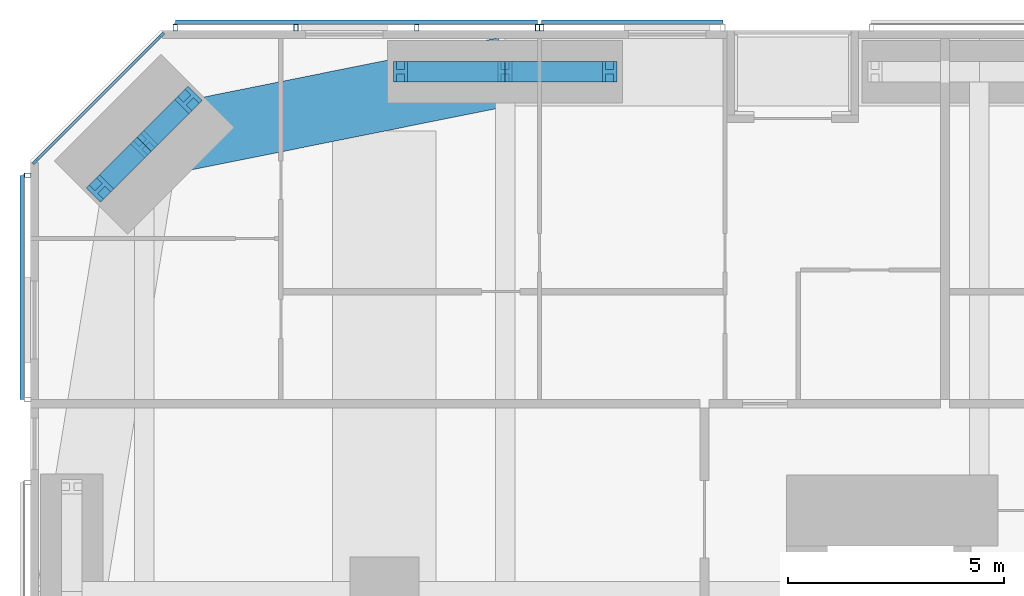
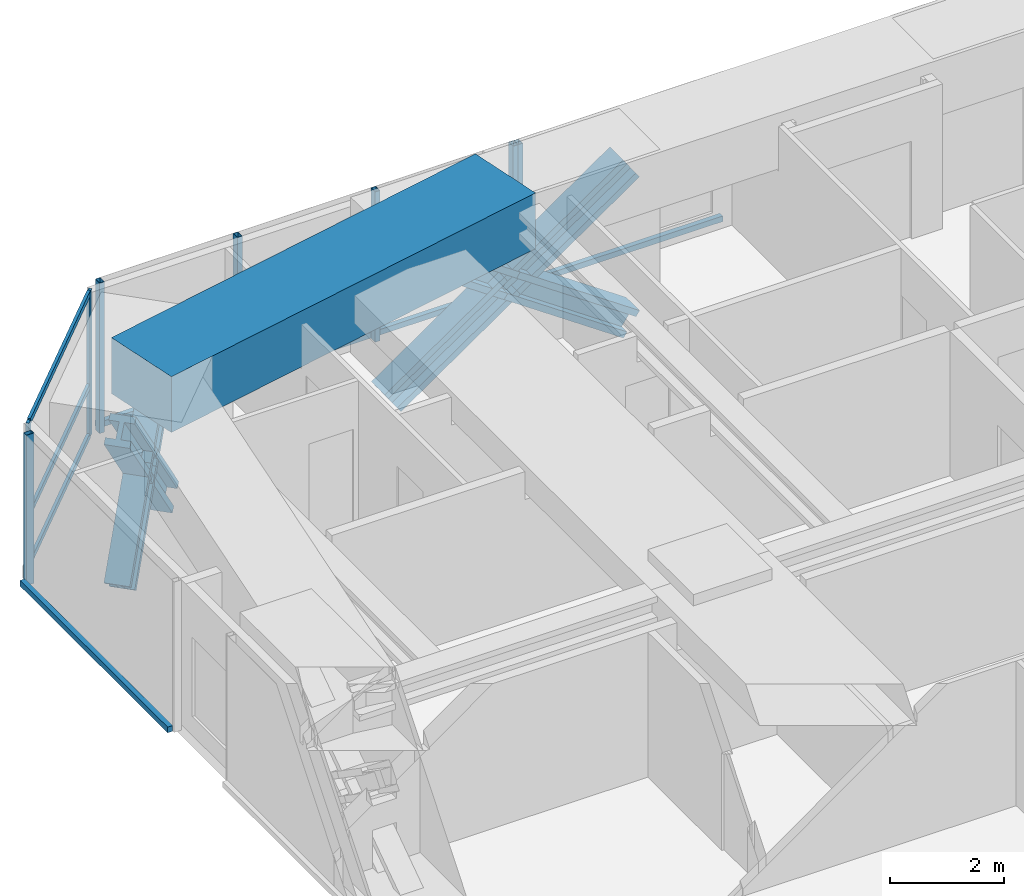
# One storey, part 11 of 23: 22 members, 1 beam, 4 elements without a shape of their own.
"""IFC4 building model written with IfcOpenShell, lengths in metres."""

import ifcopenshell
import ifcopenshell.guid

model = None  # the IFC model being written
_history = None  # IfcOwnerHistory: only IFC2X3 demands one
_inside = {}  # id of a spatial element -> (the spatial element, [elements in it])
_under = {}  # id of a project, library or spatial element -> (it, [spatial elements below it])
_declared = {}  # id of a project -> (the project, [libraries it declares])
_typed = {}  # id of a type object -> (the type object, [elements of that type])
_made_of = {}  # id of a material, layer set ... -> (it, [elements and type objects made of it])


def new_model(schema):
    """Start an empty IFC model of exactly this schema.

    Asked for "IFC4X3", IfcOpenShell would pick the latest addendum, in which some entities
    have other attributes; the version numbers below select the first issue.
    IFC2X3 requires an IfcOwnerHistory on every rooted entity: one is made here for all.
    """
    global model, _history
    if schema == "IFC4X3":
        model = ifcopenshell.file(schema_version=(4, 3, 0, 0))
    else:
        model = ifcopenshell.file(schema=schema)
    _inside.clear()
    _under.clear()
    _declared.clear()
    _typed.clear()
    _made_of.clear()
    _history = None
    if model.schema == "IFC2X3":
        org = make("IfcOrganization", Name="unknown")
        user = make(
            "IfcPersonAndOrganization",
            ThePerson=make("IfcPerson", FamilyName="unknown"),
            TheOrganization=org,
        )
        app = make(
            "IfcApplication",
            ApplicationDeveloper=org,
            Version="unknown",
            ApplicationFullName="unknown",
            ApplicationIdentifier="unknown",
        )
        _history = make(
            "IfcOwnerHistory",
            OwningUser=user,
            OwningApplication=app,
            ChangeAction="ADDED",
            CreationDate=0,
        )
    return model


def make(cls, **values):
    """One entity of the class cls with the attributes given. An attribute that is None is left unset."""
    return model.create_entity(
        cls, **{name: value for name, value in values.items() if value is not None}
    )


def rooted(cls, **values):
    """An entity with a GlobalId (a new one), such as an element, a storey or a relation."""
    return make(cls, GlobalId=ifcopenshell.guid.new(), OwnerHistory=_history, **values)


def si_unit(unit_type, name, prefix=None):
    """IfcSIUnit, for example si_unit("LENGTHUNIT", "METRE", prefix="MILLI")."""
    return make("IfcSIUnit", UnitType=unit_type, Prefix=prefix, Name=name)


def assignment(units):
    """IfcUnitAssignment: the units of a project."""
    return None if units is None else make("IfcUnitAssignment", Units=units)


def point(xyz):
    """IfcCartesianPoint."""
    return None if xyz is None else make("IfcCartesianPoint", Coordinates=xyz)


def direction(xyz):
    """IfcDirection."""
    return None if xyz is None else make("IfcDirection", DirectionRatios=xyz)


def frame(location, z_axis=None, x_axis=None):
    """IfcAxis2Placement3D, a coordinate frame: its origin and axes. An axis left out is left unset."""
    return make(
        "IfcAxis2Placement3D",
        Location=point(location),
        Axis=direction(z_axis),
        RefDirection=direction(x_axis),
    )


def frame_2d(location, x_axis=None):
    """IfcAxis2Placement2D, a coordinate frame in the plane: its origin and x axis."""
    return make(
        "IfcAxis2Placement2D", Location=point(location), RefDirection=direction(x_axis)
    )


def origin():
    """The frame at (0, 0, 0) with its axes left unset."""
    return frame((0.0, 0.0, 0.0))


def origin_2d():
    """The frame at (0, 0) in the plane with its x axis left unset."""
    return frame_2d((0.0, 0.0))


def place(relative_to, where):
    """IfcLocalPlacement: puts the frame where relative to a parent placement (None: the world)."""
    return make(
        "IfcLocalPlacement", PlacementRelTo=relative_to, RelativePlacement=where
    )


def context(
    kind, dimensions, precision=None, world=None, true_north=None, identifier=None
):
    """IfcGeometricRepresentationContext, for example the 3D "Model" context."""
    return make(
        "IfcGeometricRepresentationContext",
        ContextIdentifier=identifier,
        ContextType=kind,
        CoordinateSpaceDimension=dimensions,
        Precision=precision,
        WorldCoordinateSystem=world,
        TrueNorth=true_north,
    )


def subcontext(parent, identifier, kind, view, scale=None):
    """IfcGeometricRepresentationSubContext, for example "Body" below "Model"."""
    return make(
        "IfcGeometricRepresentationSubContext",
        ContextIdentifier=identifier,
        ContextType=kind,
        ParentContext=parent,
        TargetScale=scale,
        TargetView=view,
    )


def project(units=None, contexts=None):
    """IfcProject with its units and contexts."""
    return rooted(
        "IfcProject",
        Name="project",
        RepresentationContexts=contexts,
        UnitsInContext=assignment(units),
    )


def spatial(cls, under=None, at=None, **own):
    """A site, building, storey or space (cls), placed at a placement, below another one or the project."""
    s = rooted(cls, ObjectPlacement=at, **own)
    if under is not None:
        _under.setdefault(under.id(), (under, []))[1].append(s)
    return s


def profile(cls, at=None, kind="AREA", **sizes):
    """A parametric profile (cls). Its sizes go by their IFC names, for example OverallWidth=200.0."""
    return make(cls, ProfileType=kind, Position=at, **sizes)


def rectangle(**sizes):
    """IfcRectangleProfileDef."""
    return profile("IfcRectangleProfileDef", **sizes)


def hollow_rectangle(**sizes):
    """IfcRectangleHollowProfileDef."""
    return profile("IfcRectangleHollowProfileDef", **sizes)


def i_section(**sizes):
    """IfcIShapeProfileDef."""
    return profile("IfcIShapeProfileDef", **sizes)


def extrude(swept, where, along, depth):
    """IfcExtrudedAreaSolid: the profile swept, set in the frame where, extruded along a direction by depth."""
    return make(
        "IfcExtrudedAreaSolid",
        SweptArea=swept,
        Position=where,
        ExtrudedDirection=direction(along),
        Depth=depth,
    )


def shape(context_of_items, identifier, shape_type, items):
    """IfcShapeRepresentation: the items that make up one representation, for example the "Body"."""
    return make(
        "IfcShapeRepresentation",
        ContextOfItems=context_of_items,
        RepresentationIdentifier=identifier,
        RepresentationType=shape_type,
        Items=items,
    )


def material(Name=None, Category=None):
    """IfcMaterial."""
    return make("IfcMaterial", Name=Name, Category=Category)


def material_profile(
    of_material, cross_section, Name=None, Category=None, Priority=None
):
    """IfcMaterialProfile: a cross section and its material."""
    return make(
        "IfcMaterialProfile",
        Name=Name,
        Material=of_material,
        Profile=cross_section,
        Priority=Priority,
        Category=Category,
    )


def profile_set(profiles, Name=None, composite=None):
    """IfcMaterialProfileSet."""
    return make(
        "IfcMaterialProfileSet",
        Name=Name,
        MaterialProfiles=profiles,
        CompositeProfile=composite,
    )


def made_of(thing, what):
    """Note that an element or type object is made of a material, layer set ...; save() writes the relation."""
    if what is not None:
        _made_of.setdefault(what.id(), (what, []))[1].append(thing)
    return thing


def type_object(cls, material=None, **own):
    """A type object (cls), such as IfcWallType, which elements share."""
    return made_of(rooted(cls, **own), material)


def element(
    cls,
    number,
    at=None,
    inside=None,
    cuts=None,
    type_object=None,
    material=None,
    context=None,
    identifier="Body",
    shape_type=None,
    held_by="IfcProductDefinitionShape",
    body=None,
    shapes=None,
    **own,
):
    """One element of the class cls, such as IfcWall. Its Tag is "e" and its number.

    at: its placement. inside: the storey or other place that contains it. cuts: it is an
    opening in that element (IfcRelVoidsElement). A single representation is given by context,
    identifier, shape_type and body (its items); several are given by shapes. held_by: the class
    of the entity that holds the representations. save() writes the other relations.
    """
    e = rooted(cls, Tag="e%d" % number, ObjectPlacement=at, **own)
    if body is not None:
        shapes = [shape(context, identifier, shape_type, body)]
    if shapes is not None:
        e.Representation = make(held_by, Representations=shapes)
    if inside is not None:
        _inside.setdefault(inside.id(), (inside, []))[1].append(e)
    if cuts is not None:
        rooted(
            "IfcRelVoidsElement", RelatingBuildingElement=cuts, RelatedOpeningElement=e
        )
    if type_object is not None:
        _typed.setdefault(type_object.id(), (type_object, []))[1].append(e)
    return made_of(e, material)


def aggregate(whole, parts):
    """IfcRelAggregates: a whole, such as a stair, and the parts it consists of."""
    return rooted("IfcRelAggregates", RelatingObject=whole, RelatedObjects=parts)


def save(model, path):
    """Write the relations noted so far, then the file.

    IfcRelAggregates (storeys below a building ...), IfcRelContainedInSpatialStructure (elements
    in a storey), IfcRelDefinesByType, IfcRelAssociatesMaterial and IfcRelDeclares: one each for
    every whole, place, type object, material and project.
    """
    for whole, parts in _under.values():
        aggregate(whole, parts)
    for where, things in _inside.values():
        rooted(
            "IfcRelContainedInSpatialStructure",
            RelatedElements=things,
            RelatingStructure=where,
        )
    for kind, things in _typed.values():
        rooted("IfcRelDefinesByType", RelatedObjects=things, RelatingType=kind)
    for what, things in _made_of.values():
        rooted("IfcRelAssociatesMaterial", RelatedObjects=things, RelatingMaterial=what)
    for by, libraries in _declared.values():
        rooted("IfcRelDeclares", RelatingContext=by, RelatedDefinitions=libraries)
    model.write(path)


model = new_model("IFC4")

# Units and contexts
model_context = context("Model", 3, precision=1e-05, world=origin(), true_north=direction((0.0, 1.0)))
body_context = subcontext(model_context, "Body", "Model", "MODEL_VIEW")
ifc_project = project(units=[si_unit("LENGTHUNIT", "METRE"), si_unit("AREAUNIT", "SQUARE_METRE"), si_unit("VOLUMEUNIT", "CUBIC_METRE"), si_unit("PLANEANGLEUNIT", "RADIAN"), si_unit("MASSUNIT", "GRAM", prefix="KILO")], contexts=[model_context])

# Site, building, storey
site_placement = place(None, origin())
site = spatial("IfcSite", under=ifc_project, at=site_placement, CompositionType="ELEMENT")
building_placement = place(site_placement, origin())
building = spatial("IfcBuilding", under=site, at=building_placement, Name="Jalousie Tower", CompositionType="ELEMENT")
storey_placement = place(building_placement, frame((0.0, 0.0, 37.75)))
storey = spatial("IfcBuildingStorey", under=building, at=storey_placement, Name="L09", CompositionType="ELEMENT", Elevation=37.75)

# Curtain wall, members
ifc_material_1 = material(Name="Aluminium curtain wall", Category="aluminium")
curtain_wall_type_1 = type_object("IfcCurtainWallType", Name="CORNER WINDOW WALL", PredefinedType="USERDEFINED", material=ifc_material_1)
curtain_wall_1_placement = place(storey_placement, origin())
curtain_wall_1 = element("IfcCurtainWall", 1, at=curtain_wall_1_placement, inside=storey, type_object=curtain_wall_type_1, Name="Corner Window Wall L09 6", ObjectType="CORNER WINDOW WALL", PredefinedType="USERDEFINED")
ifc_material_2 = material(Name="Aluminium mullion", Category="aluminium")
ifc_material_profile_1 = material_profile(ifc_material_2, rectangle(XDim=0.06005859375, YDim=0.14990234375, at=origin_2d()), Name="MULLION 60x150")
ifc_profile_set_1 = profile_set([ifc_material_profile_1], Name="Aluminium mullion")
member_type_1 = type_object("IfcMemberType", Name="CORNER WINDOW WALL MULLION", PredefinedType="MULLION", material=ifc_profile_set_1)
member_1_placement = place(storey_placement, frame((5.030029296875, 37.891357421875, 0.0), z_axis=(0.0, 0.0, 1.0), x_axis=(0.707106781187, -0.707106781187, 0.0)))
member_1 = element("IfcMember", 2, at=member_1_placement, type_object=member_type_1, Name="CW-C mullion 1", PredefinedType="MULLION", context=body_context, shape_type="SweptSolid", body=[
    extrude(rectangle(XDim=0.06005859375, YDim=0.14990234375, at=origin_2d()), origin(), (0.0, 0.0, 1.0), 3.110107421875),
])
member_2_placement = place(storey_placement, frame((2.108642578125, 34.969970703125, 0.0), z_axis=(0.0, 0.0, 1.0), x_axis=(0.707106781187, -0.707106781187, 0.0)))
member_2 = element("IfcMember", 3, at=member_2_placement, type_object=member_type_1, Name="CW-C mullion 2", PredefinedType="MULLION", context=body_context, shape_type="SweptSolid", body=[
    extrude(rectangle(XDim=0.06005859375, YDim=0.14990234375, at=origin_2d()), origin(), (0.0, 0.0, 1.0), 3.110107421875),
])
ifc_material_3 = material(Name="Aluminium transom", Category="aluminium")
ifc_material_profile_2 = material_profile(ifc_material_3, rectangle(XDim=0.06005859375, YDim=0.1201171875, at=origin_2d()), Name="TRANSOM 60x120")
ifc_profile_set_2 = profile_set([ifc_material_profile_2], Name="Aluminium transom")
member_type_2 = type_object("IfcMemberType", Name="CORNER WINDOW WALL TRANSOM", PredefinedType="USERDEFINED", material=ifc_profile_set_2)
member_3_placement = place(storey_placement, frame((5.0087890625, 37.8701171875, 0.030029296875), z_axis=(-0.707106781187, -0.707106781187, 0.0), x_axis=(0.707106781187, -0.707106781187, 0.0)))
member_3 = element("IfcMember", 4, at=member_3_placement, type_object=member_type_2, Name="CW-C transom 1.1", ObjectType="TRANSOM", PredefinedType="USERDEFINED", context=body_context, shape_type="SweptSolid", body=[
    extrude(rectangle(XDim=0.06005859375, YDim=0.1201171875, at=origin_2d()), origin(), (0.0, 0.0, 1.0), 4.0712890625),
])
member_4_placement = place(storey_placement, frame((5.0087890625, 37.8701171875, 1.10009765625), z_axis=(-0.707106781187, -0.707106781187, 0.0), x_axis=(0.707106781187, -0.707106781187, 0.0)))
member_4 = element("IfcMember", 5, at=member_4_placement, type_object=member_type_2, Name="CW-C transom 1.2", ObjectType="TRANSOM", PredefinedType="USERDEFINED", context=body_context, shape_type="SweptSolid", body=[
    extrude(rectangle(XDim=0.06005859375, YDim=0.1201171875, at=origin_2d()), origin(), (0.0, 0.0, 1.0), 4.0712890625),
])
member_5_placement = place(storey_placement, frame((5.0087890625, 37.8701171875, 3.080078125), z_axis=(-0.707106781187, -0.707106781187, 0.0), x_axis=(0.707106781187, -0.707106781187, 0.0)))
member_5 = element("IfcMember", 6, at=member_5_placement, type_object=member_type_2, Name="CW-C transom 1.3", ObjectType="TRANSOM", PredefinedType="USERDEFINED", context=body_context, shape_type="SweptSolid", body=[
    extrude(rectangle(XDim=0.06005859375, YDim=0.1201171875, at=origin_2d()), origin(), (0.0, 0.0, 1.0), 4.0712890625),
])
aggregate(curtain_wall_1, [member_1, member_2, member_3, member_4, member_5])

# Members
ifc_material_4 = material(Name="Steel ASTM A992 Grade 50", Category="steel")
ifc_material_profile_3 = material_profile(ifc_material_4, i_section(OverallWidth=0.472412109375, OverallDepth=0.5791015625, WebThickness=0.094970703125, FlangeThickness=0.1298828125, at=origin_2d()), Name="W14X808")
ifc_profile_set_3 = profile_set([ifc_material_profile_3], Name="Steel ASTM A992 Grade 50")
member_type_3 = type_object("IfcMemberType", Name="PERIMETER BRACE W14X808", PredefinedType="BRACE", material=ifc_profile_set_3)
for number, where, z_axis, x_axis, name in (
    (7, (10.574951171875, 37.050048828125, -0.60009765625), (0.822800062329, 0.0, 0.568330940062), (0.0, 1.0, 0.0), "Perimeter brace 11 L09 part 1"),
    (8, (13.0, 37.050048828125, 1.074951171875), (0.822800062329, 0.0, 0.568330940062), (0.0, 1.0, 0.0), "Perimeter brace 11 L09 part 2"),
    (9, (15.425048828125, 37.050048828125, -0.60009765625), (-0.822800062329, 0.0, 0.568330940062), (0.0, -1.0, 0.0), "Perimeter brace 11 L09 part 3"),
    (10, (13.0, 37.050048828125, 1.074951171875), (-0.822800062329, 0.0, 0.568330940062), (0.0, -1.0, 0.0), "Perimeter brace 11 L09 part 4"),
):
    element("IfcMember", number, at=place(storey_placement, frame(where, z_axis=z_axis, x_axis=x_axis)), inside=storey, type_object=member_type_3, Name=name, PredefinedType="BRACE", context=body_context, shape_type="SweptSolid", body=[
        extrude(i_section(OverallWidth=0.472412109375, OverallDepth=0.5791015625, WebThickness=0.094970703125, FlangeThickness=0.1298828125, at=origin_2d()), origin(), (0.0, 0.0, 1.0), 2.947265625),
    ])
for number, where, z_axis, x_axis, name in (
    (11, (5.65673828125, 36.393798828125, -0.60009765625), (-0.462839993852, -0.462729793854, 0.756082189957), (0.707022586774, -0.707190965575, 0.0), "Perimeter brace 12 L09 part 1"),
    (12, (4.63134765625, 35.36865234375, 1.074951171875), (-0.462729793854, -0.462839993852, 0.756082189957), (0.707190965575, -0.707022586774, 0.0), "Perimeter brace 12 L09 part 2"),
    (13, (3.606201171875, 34.34326171875, -0.60009765625), (0.462729793854, 0.462839993852, 0.756082189957), (-0.707190965575, 0.707022586774, 0.0), "Perimeter brace 12 L09 part 3"),
    (14, (4.63134765625, 35.36865234375, 1.074951171875), (0.462839993852, 0.462729793854, 0.756082189957), (-0.707022586774, 0.707190965575, 0.0), "Perimeter brace 12 L09 part 4"),
):
    element("IfcMember", number, at=place(storey_placement, frame(where, z_axis=z_axis, x_axis=x_axis)), inside=storey, type_object=member_type_3, Name=name, PredefinedType="BRACE", context=body_context, shape_type="SweptSolid", body=[
        extrude(i_section(OverallWidth=0.472412109375, OverallDepth=0.5791015625, WebThickness=0.094970703125, FlangeThickness=0.1298828125, at=origin_2d()), origin(), (0.0, 0.0, 1.0), 2.21533203125),
    ])

# Beam
ifc_material_5 = material(Name="Concrete f'c 40 MPa", Category="concrete")
ifc_material_profile_4 = material_profile(ifc_material_5, rectangle(XDim=1.60009765625, YDim=1.199951171875, at=origin_2d()), Name="RC 1600x1200")
ifc_profile_set_4 = profile_set([ifc_material_profile_4], Name="Concrete f'c 40 MPa")
beam_type = type_object("IfcBeamType", Name="RC BEAM 1600x1200", PredefinedType="BEAM", material=ifc_profile_set_4)
beam_placement = place(storey_placement, frame((13.0, 37.050048828125, 2.75), z_axis=(-0.980407585444, -0.196979609107, 0.0), x_axis=(0.196979609107, -0.980407585444, 0.0)))
element("IfcBeam", 15, at=beam_placement, inside=storey, type_object=beam_type, Name="Edge band beam 11-12 under L10", PredefinedType="BEAM", context=body_context, shape_type="SweptSolid", body=[
    extrude(rectangle(XDim=1.60009765625, YDim=1.199951171875, at=origin_2d()), origin(), (0.0, 0.0, 1.0), 8.535888671875),
])

# Curtain wall, member
ifc_material_6 = material(Name="Perforated aluminium sheet", Category="aluminium")
curtain_wall_type_2 = type_object("IfcCurtainWallType", Name="SOLAR SCREEN SS-1", PredefinedType="USERDEFINED", material=ifc_material_6)
curtain_wall_2_placement = place(storey_placement, origin())
curtain_wall_2 = element("IfcCurtainWall", 16, at=curtain_wall_2_placement, inside=storey, type_object=curtain_wall_type_2, Name="Solar screen L09", ObjectType="SOLAR SCREEN SS-1", PredefinedType="USERDEFINED")
ifc_material_7 = material(Name="Steel ASTM A500 Grade C", Category="steel")
ifc_material_profile_5 = material_profile(ifc_material_7, hollow_rectangle(XDim=0.1015625, YDim=0.15234375, WallThickness=0.00634765625, at=origin_2d()), Name="HSS6X4X1/4")
ifc_profile_set_5 = profile_set([ifc_material_profile_5], Name="Steel ASTM A500 Grade C")
member_type_4 = type_object("IfcMemberType", Name="SOLAR SCREEN SS-1 MULLION", PredefinedType="MULLION", material=ifc_profile_set_5)
member_6_placement = place(storey_placement, frame((13.85009765625, 38.0712890625, -0.1201171875), z_axis=(0.0, 0.0, 1.0), x_axis=(-1.0, 0.0, 0.0)))
member_6 = element("IfcMember", 17, at=member_6_placement, type_object=member_type_4, Name="SS1 post 2", PredefinedType="MULLION", context=body_context, shape_type="SweptSolid", body=[
    extrude(hollow_rectangle(XDim=0.1015625, YDim=0.15234375, WallThickness=0.00634765625, at=origin_2d()), origin(), (0.0, 0.0, 1.0), 3.230224609375),
])

# Curtain wall, members
curtain_wall_3_placement = place(storey_placement, origin())
curtain_wall_3 = element("IfcCurtainWall", 18, at=curtain_wall_3_placement, inside=storey, type_object=curtain_wall_type_2, Name="Solar screen L09", ObjectType="SOLAR SCREEN SS-1", PredefinedType="USERDEFINED")
member_7_placement = place(storey_placement, frame((13.75, 38.0712890625, -0.1201171875), z_axis=(0.0, 0.0, 1.0), x_axis=(-1.0, 0.0, 0.0)))
member_7 = element("IfcMember", 19, at=member_7_placement, type_object=member_type_4, Name="SS1 post 1", PredefinedType="MULLION", context=body_context, shape_type="SweptSolid", body=[
    extrude(hollow_rectangle(XDim=0.1015625, YDim=0.15234375, WallThickness=0.00634765625, at=origin_2d()), origin(), (0.0, 0.0, 1.0), 3.230224609375),
])
member_8_placement = place(storey_placement, frame((10.950439453125, 38.0712890625, -0.1201171875), z_axis=(0.0, 0.0, 1.0), x_axis=(-1.0, 0.0, 0.0)))
member_8 = element("IfcMember", 20, at=member_8_placement, type_object=member_type_4, Name="SS1 post 2", PredefinedType="MULLION", context=body_context, shape_type="SweptSolid", body=[
    extrude(hollow_rectangle(XDim=0.1015625, YDim=0.15234375, WallThickness=0.00634765625, at=origin_2d()), origin(), (0.0, 0.0, 1.0), 3.230224609375),
])
member_9_placement = place(storey_placement, frame((8.15087890625, 38.0712890625, -0.1201171875), z_axis=(0.0, 0.0, 1.0), x_axis=(-1.0, 0.0, 0.0)))
member_9 = element("IfcMember", 21, at=member_9_placement, type_object=member_type_4, Name="SS1 post 3", PredefinedType="MULLION", context=body_context, shape_type="SweptSolid", body=[
    extrude(hollow_rectangle(XDim=0.1015625, YDim=0.15234375, WallThickness=0.00634765625, at=origin_2d()), origin(), (0.0, 0.0, 1.0), 3.230224609375),
])
member_10_placement = place(storey_placement, frame((5.351318359375, 38.0712890625, -0.1201171875), z_axis=(0.0, 0.0, 1.0), x_axis=(-1.0, 0.0, 0.0)))
member_10 = element("IfcMember", 22, at=member_10_placement, type_object=member_type_4, Name="SS1 post 4", PredefinedType="MULLION", context=body_context, shape_type="SweptSolid", body=[
    extrude(hollow_rectangle(XDim=0.1015625, YDim=0.15234375, WallThickness=0.00634765625, at=origin_2d()), origin(), (0.0, 0.0, 1.0), 3.230224609375),
])

# Curtain wall, member
curtain_wall_4_placement = place(storey_placement, origin())
curtain_wall_4 = element("IfcCurtainWall", 23, at=curtain_wall_4_placement, inside=storey, type_object=curtain_wall_type_2, Name="Solar screen L09", ObjectType="SOLAR SCREEN SS-1", PredefinedType="USERDEFINED")
member_11_placement = place(storey_placement, frame((1.9287109375, 34.648681640625, -0.1201171875), z_axis=(0.0, 0.0, 1.0), x_axis=(0.0, -1.0, 0.0)))
member_11 = element("IfcMember", 24, at=member_11_placement, type_object=member_type_4, Name="SS1 post 1", PredefinedType="MULLION", context=body_context, shape_type="SweptSolid", body=[
    extrude(hollow_rectangle(XDim=0.1015625, YDim=0.15234375, WallThickness=0.00634765625, at=origin_2d()), origin(), (0.0, 0.0, 1.0), 3.230224609375),
])

# Member
ifc_material_8 = material(Name="Extruded aluminium screen rail", Category="aluminium")
ifc_material_profile_6 = material_profile(ifc_material_8, rectangle(XDim=0.1015625, YDim=0.1201171875, at=origin_2d()), Name="RAIL 102x120")
ifc_profile_set_6 = profile_set([ifc_material_profile_6], Name="Extruded aluminium screen rail")
member_type_5 = type_object("IfcMemberType", Name="SOLAR SCREEN SS-1 TRANSOM", PredefinedType="USERDEFINED", material=ifc_profile_set_6)
member_12_placement = place(storey_placement, frame((18.050048828125, 38.1982421875, -0.06005859375), z_axis=(-1.0, 0.0, 0.0), x_axis=(0.0, -1.0, 0.0)))
member_12 = element("IfcMember", 25, at=member_12_placement, type_object=member_type_5, Name="SS1 rail", ObjectType="TRANSOM", PredefinedType="USERDEFINED", context=body_context, shape_type="SweptSolid", body=[
    extrude(rectangle(XDim=0.1015625, YDim=0.1201171875, at=origin_2d()), origin(), (0.0, 0.0, 1.0), 4.199951171875),
])

aggregate(curtain_wall_2, [member_6, member_12])

member_13_placement = place(storey_placement, frame((13.75, 38.1982421875, -0.06005859375), z_axis=(-1.0, 0.0, 0.0), x_axis=(0.0, -1.0, 0.0)))
member_13 = element("IfcMember", 26, at=member_13_placement, type_object=member_type_5, Name="SS1 rail", ObjectType="TRANSOM", PredefinedType="USERDEFINED", context=body_context, shape_type="SweptSolid", body=[
    extrude(rectangle(XDim=0.1015625, YDim=0.1201171875, at=origin_2d()), origin(), (0.0, 0.0, 1.0), 8.398681640625),
])

aggregate(curtain_wall_3, [member_7, member_8, member_9, member_10, member_13])

member_14_placement = place(storey_placement, frame((1.8017578125, 34.648681640625, -0.06005859375), z_axis=(0.0, -1.0, 0.0), x_axis=(1.0, 0.0, 0.0)))
member_14 = element("IfcMember", 27, at=member_14_placement, type_object=member_type_5, Name="SS1 rail", ObjectType="TRANSOM", PredefinedType="USERDEFINED", context=body_context, shape_type="SweptSolid", body=[
    extrude(rectangle(XDim=0.1015625, YDim=0.1201171875, at=origin_2d()), origin(), (0.0, 0.0, 1.0), 5.19873046875),
])

aggregate(curtain_wall_4, [member_11, member_14])

save(model, "model.ifc")
